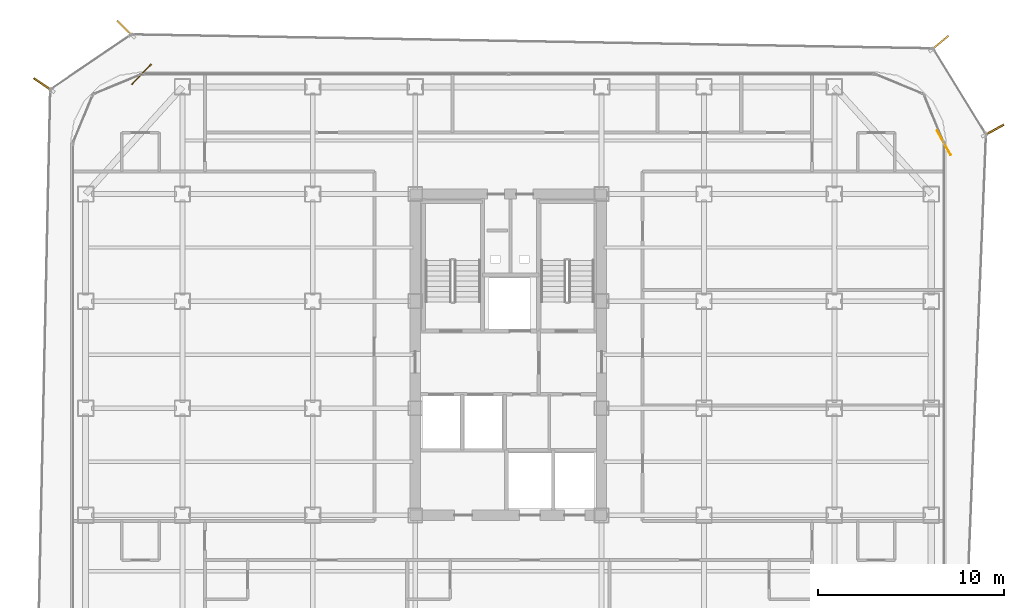
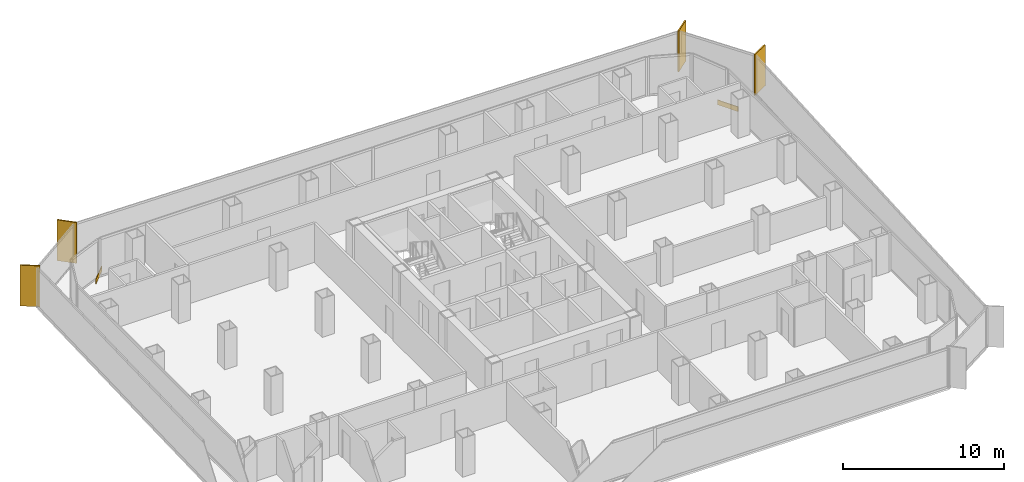
# One storey, part 21 of 21: 4 shading devices, 2 coverings.
"""IFC4 building model written with IfcOpenShell, lengths in metres."""

from ifc_helpers import new_model, si_unit, direction, frame, origin, origin_2d, place, context, subcontext, project, spatial, rectangle, extrude, source, transform, mapped, material, layer, layer_set, type_object, element, save


model = new_model("IFC4")

# Units and contexts
model_context = context("Model", 3, precision=1e-05, world=origin(), true_north=direction((0.0, 1.0)))
body_context = subcontext(model_context, "Body", "Model", "MODEL_VIEW")
ifc_project = project(units=[si_unit("LENGTHUNIT", "METRE"), si_unit("AREAUNIT", "SQUARE_METRE"), si_unit("VOLUMEUNIT", "CUBIC_METRE"), si_unit("PLANEANGLEUNIT", "RADIAN"), si_unit("MASSUNIT", "GRAM", prefix="KILO")], contexts=[model_context])

# Site, building, storey
site_placement = place(None, origin())
site = spatial("IfcSite", under=ifc_project, at=site_placement, CompositionType="ELEMENT")
building_placement = place(site_placement, origin())
building = spatial("IfcBuilding", under=site, at=building_placement, Name="Kolveth Station Tower", CompositionType="ELEMENT")
storey_placement = place(building_placement, frame((0.0, 0.0, 121.5)))
storey = spatial("IfcBuildingStorey", under=building, at=storey_placement, Name="L33", CompositionType="ELEMENT", Elevation=121.5)

# Shading devices
ifc_material_1 = material(Name="Black anodized aluminium 6063-T6", Category="aluminium")
shading_device_type = type_object("IfcShadingDeviceType", Name="FIN_VF1", PredefinedType="USERDEFINED", material=ifc_material_1)
shared_shape_1 = source(origin(), body_context, "Body", "SweptSolid", [
    extrude(rectangle(XDim=1.25, YDim=0.090087890625, at=origin_2d()), origin(), (0.0, 0.0, 1.0), 3.10009765625),
])
for number, where, z_axis, x_axis, name in (
    (1, (49.5380859375, 32.1689453125, 0.0), (0.0, 0.0, 1.0), (0.873432483984, 0.486945269945, 0.0), "L33 Dark-Aluminium Solar Fin 3"),
    (2, (46.65087890625, 36.85205078125, 0.0), (0.0, 0.0, 1.0), (0.769733907611, 0.638364873308, 0.0), "L33 Dark-Aluminium Solar Fin 4"),
    (3, (2.930908203125, 37.6259765625, 0.0), (0.0, 0.0, 1.0), (-0.717397145963, 0.696664434978, 0.0), "L33 Dark-Aluminium Solar Fin 5"),
    (4, (-1.462890625, 34.614013671875, 0.0), (0.0, 0.0, 1.0), (-0.827080574275, 0.562083377852, 0.0), "L33 Dark-Aluminium Solar Fin 6"),
):
    element("IfcShadingDevice", number, at=place(storey_placement, frame(where, z_axis=z_axis, x_axis=x_axis)), inside=storey, type_object=shading_device_type, Name=name, ObjectType="FIN", PredefinedType="USERDEFINED", context=body_context, shape_type="MappedRepresentation", body=[
        mapped(shared_shape_1, transform((0.0, 0.0, 0.0), x_axis=(1.0, 0.0, 0.0), y_axis=(0.0, 1.0, 0.0), z_axis=(0.0, 0.0, 1.0), scale=1.0)),
    ])

# Coverings
ifc_material_2 = material(Name="Charcoal anodized aluminium spandrel cladding", Category="aluminium")
ifc_layer = layer(ifc_material_2, 0.044921875)
ifc_layer_set = layer_set([ifc_layer], Name="Charcoal anodized aluminium spandrel cladding")
covering_type = type_object("IfcCoveringType", Name="Clad_CD1", PredefinedType="CLADDING", material=ifc_layer_set)
shared_shape_2 = source(origin(), body_context, "Body", "SweptSolid", [
    extrude(rectangle(XDim=1.5, YDim=0.044921875, at=origin_2d()), origin(), (0.0, 0.0, 1.0), 0.360107421875),
])
for number, where, z_axis, x_axis, name in (
    (5, (46.8798828125, 31.5, 0.0), (0.0, 0.0, 1.0), (-0.486945269945, 0.873432483984, 0.0), "L33 Spandrel Edge Cladding 3"),
    (6, (3.800048828125, 35.179931640625, 0.0), (0.0, 0.0, 1.0), (-0.696664434978, -0.717397145963, 0.0), "L33 Spandrel Edge Cladding 5"),
):
    element("IfcCovering", number, at=place(storey_placement, frame(where, z_axis=z_axis, x_axis=x_axis)), inside=storey, type_object=covering_type, Name=name, PredefinedType="CLADDING", context=body_context, shape_type="MappedRepresentation", body=[
        mapped(shared_shape_2, transform((0.0, 0.0, 0.0), x_axis=(1.0, 0.0, 0.0), y_axis=(0.0, 1.0, 0.0), z_axis=(0.0, 0.0, 1.0), scale=1.0)),
    ])

save(model, "model.ifc")
